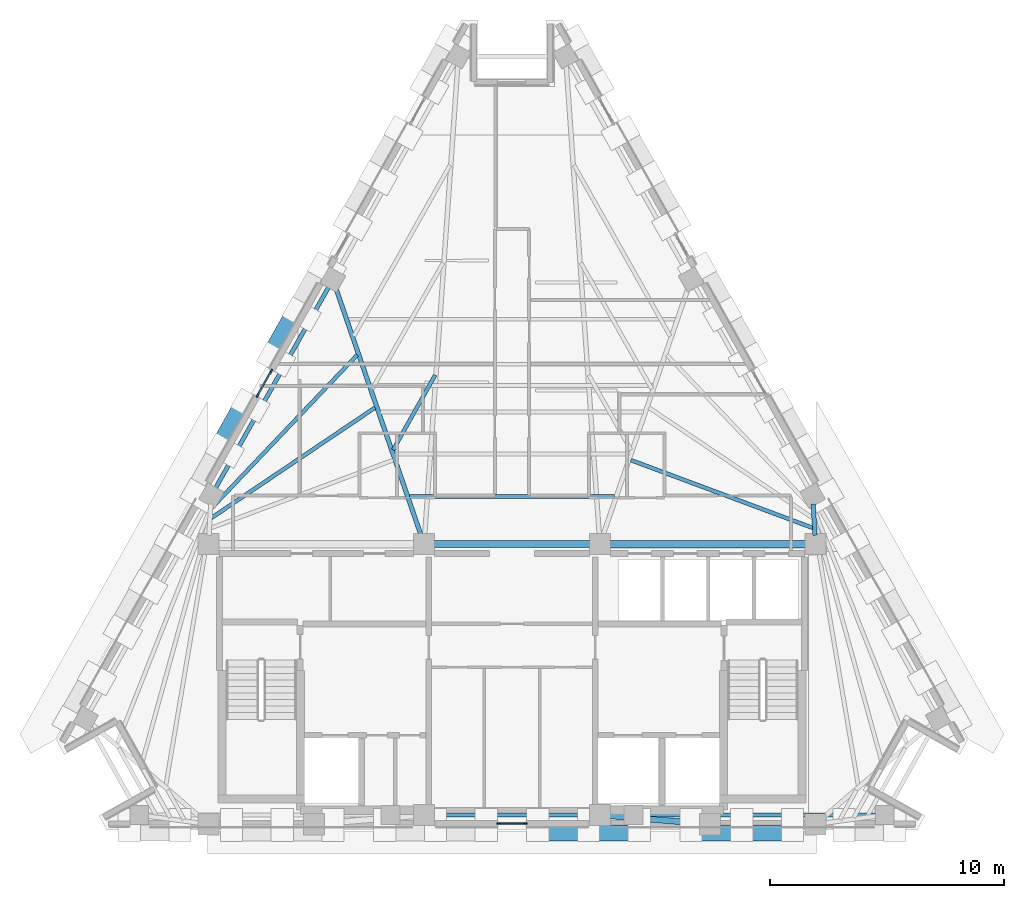
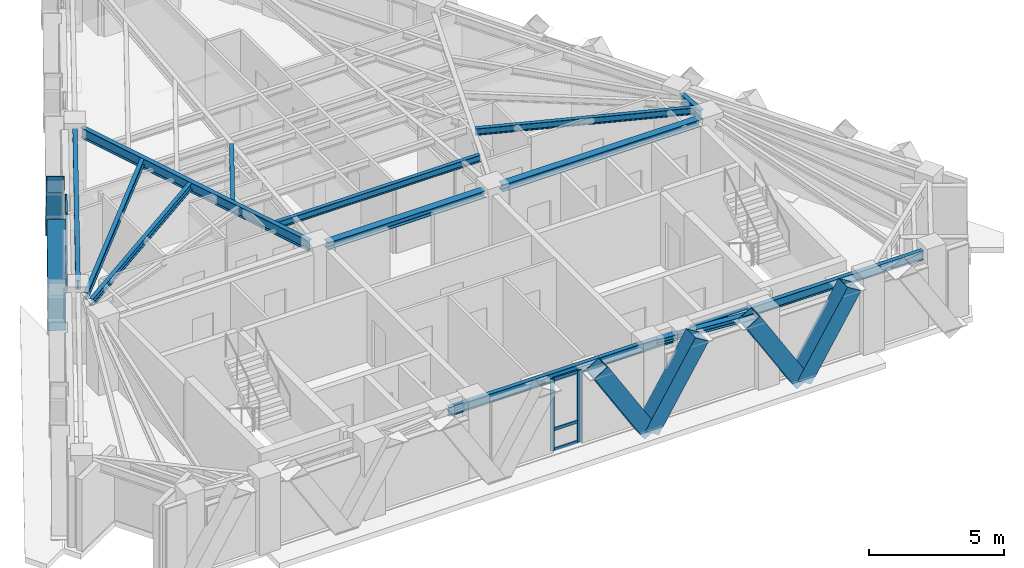
# One storey, part 2 of 9: 16 members, 13 beams, 2 elements without a shape of their own.
"""IFC4 building model written with IfcOpenShell, lengths in metres."""

import ifcopenshell
import ifcopenshell.guid

model = None  # the IFC model being written
_history = None  # IfcOwnerHistory: only IFC2X3 demands one
_inside = {}  # id of a spatial element -> (the spatial element, [elements in it])
_under = {}  # id of a project, library or spatial element -> (it, [spatial elements below it])
_declared = {}  # id of a project -> (the project, [libraries it declares])
_typed = {}  # id of a type object -> (the type object, [elements of that type])
_made_of = {}  # id of a material, layer set ... -> (it, [elements and type objects made of it])


def new_model(schema):
    """Start an empty IFC model of exactly this schema.

    Asked for "IFC4X3", IfcOpenShell would pick the latest addendum, in which some entities
    have other attributes; the version numbers below select the first issue.
    IFC2X3 requires an IfcOwnerHistory on every rooted entity: one is made here for all.
    """
    global model, _history
    if schema == "IFC4X3":
        model = ifcopenshell.file(schema_version=(4, 3, 0, 0))
    else:
        model = ifcopenshell.file(schema=schema)
    _inside.clear()
    _under.clear()
    _declared.clear()
    _typed.clear()
    _made_of.clear()
    _history = None
    if model.schema == "IFC2X3":
        org = make("IfcOrganization", Name="unknown")
        user = make(
            "IfcPersonAndOrganization",
            ThePerson=make("IfcPerson", FamilyName="unknown"),
            TheOrganization=org,
        )
        app = make(
            "IfcApplication",
            ApplicationDeveloper=org,
            Version="unknown",
            ApplicationFullName="unknown",
            ApplicationIdentifier="unknown",
        )
        _history = make(
            "IfcOwnerHistory",
            OwningUser=user,
            OwningApplication=app,
            ChangeAction="ADDED",
            CreationDate=0,
        )
    return model


def make(cls, **values):
    """One entity of the class cls with the attributes given. An attribute that is None is left unset."""
    return model.create_entity(
        cls, **{name: value for name, value in values.items() if value is not None}
    )


def rooted(cls, **values):
    """An entity with a GlobalId (a new one), such as an element, a storey or a relation."""
    return make(cls, GlobalId=ifcopenshell.guid.new(), OwnerHistory=_history, **values)


def si_unit(unit_type, name, prefix=None):
    """IfcSIUnit, for example si_unit("LENGTHUNIT", "METRE", prefix="MILLI")."""
    return make("IfcSIUnit", UnitType=unit_type, Prefix=prefix, Name=name)


def assignment(units):
    """IfcUnitAssignment: the units of a project."""
    return None if units is None else make("IfcUnitAssignment", Units=units)


def point(xyz):
    """IfcCartesianPoint."""
    return None if xyz is None else make("IfcCartesianPoint", Coordinates=xyz)


def direction(xyz):
    """IfcDirection."""
    return None if xyz is None else make("IfcDirection", DirectionRatios=xyz)


def frame(location, z_axis=None, x_axis=None):
    """IfcAxis2Placement3D, a coordinate frame: its origin and axes. An axis left out is left unset."""
    return make(
        "IfcAxis2Placement3D",
        Location=point(location),
        Axis=direction(z_axis),
        RefDirection=direction(x_axis),
    )


def frame_2d(location, x_axis=None):
    """IfcAxis2Placement2D, a coordinate frame in the plane: its origin and x axis."""
    return make(
        "IfcAxis2Placement2D", Location=point(location), RefDirection=direction(x_axis)
    )


def origin():
    """The frame at (0, 0, 0) with its axes left unset."""
    return frame((0.0, 0.0, 0.0))


def origin_2d():
    """The frame at (0, 0) in the plane with its x axis left unset."""
    return frame_2d((0.0, 0.0))


def place(relative_to, where):
    """IfcLocalPlacement: puts the frame where relative to a parent placement (None: the world)."""
    return make(
        "IfcLocalPlacement", PlacementRelTo=relative_to, RelativePlacement=where
    )


def context(
    kind, dimensions, precision=None, world=None, true_north=None, identifier=None
):
    """IfcGeometricRepresentationContext, for example the 3D "Model" context."""
    return make(
        "IfcGeometricRepresentationContext",
        ContextIdentifier=identifier,
        ContextType=kind,
        CoordinateSpaceDimension=dimensions,
        Precision=precision,
        WorldCoordinateSystem=world,
        TrueNorth=true_north,
    )


def subcontext(parent, identifier, kind, view, scale=None):
    """IfcGeometricRepresentationSubContext, for example "Body" below "Model"."""
    return make(
        "IfcGeometricRepresentationSubContext",
        ContextIdentifier=identifier,
        ContextType=kind,
        ParentContext=parent,
        TargetScale=scale,
        TargetView=view,
    )


def project(units=None, contexts=None):
    """IfcProject with its units and contexts."""
    return rooted(
        "IfcProject",
        Name="project",
        RepresentationContexts=contexts,
        UnitsInContext=assignment(units),
    )


def spatial(cls, under=None, at=None, **own):
    """A site, building, storey or space (cls), placed at a placement, below another one or the project."""
    s = rooted(cls, ObjectPlacement=at, **own)
    if under is not None:
        _under.setdefault(under.id(), (under, []))[1].append(s)
    return s


def profile(cls, at=None, kind="AREA", **sizes):
    """A parametric profile (cls). Its sizes go by their IFC names, for example OverallWidth=200.0."""
    return make(cls, ProfileType=kind, Position=at, **sizes)


def rectangle(**sizes):
    """IfcRectangleProfileDef."""
    return profile("IfcRectangleProfileDef", **sizes)


def hollow_rectangle(**sizes):
    """IfcRectangleHollowProfileDef."""
    return profile("IfcRectangleHollowProfileDef", **sizes)


def i_section(**sizes):
    """IfcIShapeProfileDef."""
    return profile("IfcIShapeProfileDef", **sizes)


def extrude(swept, where, along, depth):
    """IfcExtrudedAreaSolid: the profile swept, set in the frame where, extruded along a direction by depth."""
    return make(
        "IfcExtrudedAreaSolid",
        SweptArea=swept,
        Position=where,
        ExtrudedDirection=direction(along),
        Depth=depth,
    )


def shape(context_of_items, identifier, shape_type, items):
    """IfcShapeRepresentation: the items that make up one representation, for example the "Body"."""
    return make(
        "IfcShapeRepresentation",
        ContextOfItems=context_of_items,
        RepresentationIdentifier=identifier,
        RepresentationType=shape_type,
        Items=items,
    )


def material(Name=None, Category=None):
    """IfcMaterial."""
    return make("IfcMaterial", Name=Name, Category=Category)


def material_profile(
    of_material, cross_section, Name=None, Category=None, Priority=None
):
    """IfcMaterialProfile: a cross section and its material."""
    return make(
        "IfcMaterialProfile",
        Name=Name,
        Material=of_material,
        Profile=cross_section,
        Priority=Priority,
        Category=Category,
    )


def profile_set(profiles, Name=None, composite=None):
    """IfcMaterialProfileSet."""
    return make(
        "IfcMaterialProfileSet",
        Name=Name,
        MaterialProfiles=profiles,
        CompositeProfile=composite,
    )


def made_of(thing, what):
    """Note that an element or type object is made of a material, layer set ...; save() writes the relation."""
    if what is not None:
        _made_of.setdefault(what.id(), (what, []))[1].append(thing)
    return thing


def type_object(cls, material=None, **own):
    """A type object (cls), such as IfcWallType, which elements share."""
    return made_of(rooted(cls, **own), material)


def element(
    cls,
    number,
    at=None,
    inside=None,
    cuts=None,
    type_object=None,
    material=None,
    context=None,
    identifier="Body",
    shape_type=None,
    held_by="IfcProductDefinitionShape",
    body=None,
    shapes=None,
    **own,
):
    """One element of the class cls, such as IfcWall. Its Tag is "e" and its number.

    at: its placement. inside: the storey or other place that contains it. cuts: it is an
    opening in that element (IfcRelVoidsElement). A single representation is given by context,
    identifier, shape_type and body (its items); several are given by shapes. held_by: the class
    of the entity that holds the representations. save() writes the other relations.
    """
    e = rooted(cls, Tag="e%d" % number, ObjectPlacement=at, **own)
    if body is not None:
        shapes = [shape(context, identifier, shape_type, body)]
    if shapes is not None:
        e.Representation = make(held_by, Representations=shapes)
    if inside is not None:
        _inside.setdefault(inside.id(), (inside, []))[1].append(e)
    if cuts is not None:
        rooted(
            "IfcRelVoidsElement", RelatingBuildingElement=cuts, RelatedOpeningElement=e
        )
    if type_object is not None:
        _typed.setdefault(type_object.id(), (type_object, []))[1].append(e)
    return made_of(e, material)


def aggregate(whole, parts):
    """IfcRelAggregates: a whole, such as a stair, and the parts it consists of."""
    return rooted("IfcRelAggregates", RelatingObject=whole, RelatedObjects=parts)


def save(model, path):
    """Write the relations noted so far, then the file.

    IfcRelAggregates (storeys below a building ...), IfcRelContainedInSpatialStructure (elements
    in a storey), IfcRelDefinesByType, IfcRelAssociatesMaterial and IfcRelDeclares: one each for
    every whole, place, type object, material and project.
    """
    for whole, parts in _under.values():
        aggregate(whole, parts)
    for where, things in _inside.values():
        rooted(
            "IfcRelContainedInSpatialStructure",
            RelatedElements=things,
            RelatingStructure=where,
        )
    for kind, things in _typed.values():
        rooted("IfcRelDefinesByType", RelatedObjects=things, RelatingType=kind)
    for what, things in _made_of.values():
        rooted("IfcRelAssociatesMaterial", RelatedObjects=things, RelatingMaterial=what)
    for by, libraries in _declared.values():
        rooted("IfcRelDeclares", RelatingContext=by, RelatedDefinitions=libraries)
    model.write(path)


model = new_model("IFC4")

# Units and contexts
model_context = context("Model", 3, precision=1e-05, world=origin(), true_north=direction((0.0, 1.0)))
body_context = subcontext(model_context, "Body", "Model", "MODEL_VIEW")
ifc_project = project(units=[si_unit("LENGTHUNIT", "METRE"), si_unit("AREAUNIT", "SQUARE_METRE"), si_unit("VOLUMEUNIT", "CUBIC_METRE"), si_unit("PLANEANGLEUNIT", "RADIAN"), si_unit("MASSUNIT", "GRAM", prefix="KILO")], contexts=[model_context])

# Site, building, storey
site_placement = place(None, origin())
site = spatial("IfcSite", under=ifc_project, at=site_placement, CompositionType="ELEMENT")
building_placement = place(site_placement, origin())
building = spatial("IfcBuilding", under=site, at=building_placement, Name="Quenlor Broadcast Tower", CompositionType="ELEMENT")
storey_placement = place(building_placement, frame((0.0, 0.0, 228.89990234375)))
storey = spatial("IfcBuildingStorey", under=building, at=storey_placement, Name="L63", CompositionType="ELEMENT", Elevation=228.89990234375)

# Curtain wall, members
ifc_material_1 = material(Name="Architectural Terracotta and Low-E Glazing", Category="masonry")
curtain_wall_type = type_object("IfcCurtainWallType", Name="Unitised Terracotta Curtain Wall System Z5", PredefinedType="NOTDEFINED", material=ifc_material_1)
curtain_wall_1_placement = place(storey_placement, origin())
curtain_wall_1 = element("IfcCurtainWall", 1, at=curtain_wall_1_placement, inside=storey, type_object=curtain_wall_type, Name="L63 Curtain Wall CW5 (L63-S-G1)", PredefinedType="NOTDEFINED")
ifc_material_2 = material(Name="Aluminium 6063-T6", Category="aluminium")
ifc_material_profile_1 = material_profile(ifc_material_2, rectangle(XDim=0.06494140625, YDim=0.169921875, at=origin_2d()))
ifc_profile_set_1 = profile_set([ifc_material_profile_1], Name="Aluminium 6063-T6 MULL65x170")
member_type_1 = type_object("IfcMemberType", Name="CW5 Aluminium Mullion MULL_CW5", PredefinedType="MULLION", material=ifc_profile_set_1)
member_1_placement = place(storey_placement, frame((0.573974609375, -16.72509765625, 0.0), z_axis=(0.0, 0.0, 1.0), x_axis=(0.0, -1.0, 0.0)))
member_1 = element("IfcMember", 2, at=member_1_placement, type_object=member_type_1, Name="CW5 mullion 1", PredefinedType="MULLION", context=body_context, shape_type="SweptSolid", body=[
    extrude(rectangle(XDim=0.06494140625, YDim=0.169921875, at=origin_2d()), origin(), (0.0, 0.0, 1.0), 3.25),
])
member_2_placement = place(storey_placement, frame((-0.573974609375, -16.72509765625, 0.0), z_axis=(0.0, 0.0, 1.0), x_axis=(0.0, -1.0, 0.0)))
member_2 = element("IfcMember", 3, at=member_2_placement, type_object=member_type_1, Name="CW5 mullion 2", PredefinedType="MULLION", context=body_context, shape_type="SweptSolid", body=[
    extrude(rectangle(XDim=0.06494140625, YDim=0.169921875, at=origin_2d()), origin(), (0.0, 0.0, 1.0), 3.25),
])

curtain_wall_2_placement = place(storey_placement, origin())
curtain_wall_2 = element("IfcCurtainWall", 4, at=curtain_wall_2_placement, inside=storey, type_object=curtain_wall_type, Name="L63 Curtain Wall CW5 (L63-NW-G1)", PredefinedType="NOTDEFINED")
member_3_placement = place(storey_placement, frame((-10.853271484375, 1.54443359375, 0.0), z_axis=(0.0, 0.0, 1.0), x_axis=(-0.871592489955, 0.490231100048, 0.0)))
member_3 = element("IfcMember", 5, at=member_3_placement, type_object=member_type_1, Name="CW5 mullion 1", PredefinedType="MULLION", context=body_context, shape_type="SweptSolid", body=[
    extrude(rectangle(XDim=0.06494140625, YDim=0.169921875, at=origin_2d()), origin(), (0.0, 0.0, 1.0), 3.25),
])
member_4_placement = place(storey_placement, frame((-10.267333984375, 2.586181640625, 0.0), z_axis=(0.0, 0.0, 1.0), x_axis=(-0.871592489955, 0.490231100048, 0.0)))
member_4 = element("IfcMember", 6, at=member_4_placement, type_object=member_type_1, Name="CW5 mullion 2", PredefinedType="MULLION", context=body_context, shape_type="SweptSolid", body=[
    extrude(rectangle(XDim=0.06494140625, YDim=0.169921875, at=origin_2d()), origin(), (0.0, 0.0, 1.0), 3.25),
])

# Member
ifc_material_3 = material(Name="Aluminium 6063-T6", Category="aluminium")
ifc_material_profile_2 = material_profile(ifc_material_3, rectangle(XDim=0.06494140625, YDim=0.139892578125, at=origin_2d()))
ifc_profile_set_2 = profile_set([ifc_material_profile_2], Name="Aluminium 6063-T6 TRAN65x140")
member_type_2 = type_object("IfcMemberType", Name="CW5 Aluminium Transom TRAN_CW5", PredefinedType="USERDEFINED", material=ifc_profile_set_2)
member_5_placement = place(storey_placement, frame((0.54150390625, -16.72509765625, 0.03271484375), z_axis=(-1.0, 0.0, 0.0), x_axis=(0.0, -1.0, 0.0)))
member_5 = element("IfcMember", 7, at=member_5_placement, type_object=member_type_2, Name="CW5 transom 1.1", ObjectType="TRANSOM", PredefinedType="USERDEFINED", context=body_context, shape_type="SweptSolid", body=[
    extrude(rectangle(XDim=0.06494140625, YDim=0.139892578125, at=origin_2d()), origin(), (0.0, 0.0, 1.0), 1.0830078125),
])

member_6_placement = place(storey_placement, frame((0.54150390625, -16.72509765625, 0.9501953125), z_axis=(-1.0, 0.0, 0.0), x_axis=(0.0, -1.0, 0.0)))
member_6 = element("IfcMember", 8, at=member_6_placement, type_object=member_type_2, Name="CW5 transom 1.2", ObjectType="TRANSOM", PredefinedType="USERDEFINED", context=body_context, shape_type="SweptSolid", body=[
    extrude(rectangle(XDim=0.06494140625, YDim=0.139892578125, at=origin_2d()), origin(), (0.0, 0.0, 1.0), 1.0830078125),
])

member_7_placement = place(storey_placement, frame((0.54150390625, -16.72509765625, 3.217529296875), z_axis=(-1.0, 0.0, 0.0), x_axis=(0.0, -1.0, 0.0)))
member_7 = element("IfcMember", 9, at=member_7_placement, type_object=member_type_2, Name="CW5 transom 1.3", ObjectType="TRANSOM", PredefinedType="USERDEFINED", context=body_context, shape_type="SweptSolid", body=[
    extrude(rectangle(XDim=0.06494140625, YDim=0.139892578125, at=origin_2d()), origin(), (0.0, 0.0, 1.0), 1.0830078125),
])

aggregate(curtain_wall_1, [member_1, member_2, member_5, member_6, member_7])

member_8_placement = place(storey_placement, frame((-10.83740234375, 1.57275390625, 0.03271484375), z_axis=(0.490312513966, 0.871546693327, 0.0), x_axis=(-0.871546693327, 0.490312513966, 0.0)))
member_8 = element("IfcMember", 10, at=member_8_placement, type_object=member_type_2, Name="CW5 transom 1.1", ObjectType="TRANSOM", PredefinedType="USERDEFINED", context=body_context, shape_type="SweptSolid", body=[
    extrude(rectangle(XDim=0.06494140625, YDim=0.139892578125, at=origin_2d()), origin(), (0.0, 0.0, 1.0), 1.13037109375),
])

member_9_placement = place(storey_placement, frame((-10.83740234375, 1.57275390625, 0.9501953125), z_axis=(0.490312513966, 0.871546693327, 0.0), x_axis=(-0.871546693327, 0.490312513966, 0.0)))
member_9 = element("IfcMember", 11, at=member_9_placement, type_object=member_type_2, Name="CW5 transom 1.2", ObjectType="TRANSOM", PredefinedType="USERDEFINED", context=body_context, shape_type="SweptSolid", body=[
    extrude(rectangle(XDim=0.06494140625, YDim=0.139892578125, at=origin_2d()), origin(), (0.0, 0.0, 1.0), 1.13037109375),
])

member_10_placement = place(storey_placement, frame((-10.83740234375, 1.57275390625, 3.217529296875), z_axis=(0.490312513966, 0.871546693327, 0.0), x_axis=(-0.871546693327, 0.490312513966, 0.0)))
member_10 = element("IfcMember", 12, at=member_10_placement, type_object=member_type_2, Name="CW5 transom 1.3", ObjectType="TRANSOM", PredefinedType="USERDEFINED", context=body_context, shape_type="SweptSolid", body=[
    extrude(rectangle(XDim=0.06494140625, YDim=0.139892578125, at=origin_2d()), origin(), (0.0, 0.0, 1.0), 1.13037109375),
])

aggregate(curtain_wall_2, [member_3, member_4, member_8, member_9, member_10])

# Beams
ifc_material_4 = material(Name="Steel S355", Category="steel")
ifc_material_profile_3 = material_profile(ifc_material_4, i_section(OverallWidth=0.304931640625, OverallDepth=0.30810546875, WebThickness=0.010009765625, FlangeThickness=0.015380859375, FilletRadius=0.0166015625, at=origin_2d()))
ifc_profile_set_3 = profile_set([ifc_material_profile_3], Name="Steel S355 310UC96.8")
beam_type_1 = type_object("IfcBeamType", Name="Core Header Beam Steel S355 310UC96.8", PredefinedType="BEAM", material=ifc_profile_set_3)
beam_1_placement = place(storey_placement, frame((-3.389892578125, -4.800048828125, 3.09619140625), z_axis=(1.0, 0.0, 0.0), x_axis=(0.0, 1.0, 0.0)))
element("IfcBeam", 13, at=beam_1_placement, inside=storey, type_object=beam_type_1, Name="L63 Core Header Beam 2", PredefinedType="BEAM", context=body_context, shape_type="SweptSolid", body=[
    extrude(i_section(OverallWidth=0.304931640625, OverallDepth=0.30810546875, WebThickness=0.010009765625, FlangeThickness=0.015380859375, FilletRadius=0.0166015625, at=origin_2d()), origin(), (0.0, 0.0, 1.0), 6.77978515625),
])
ifc_material_5 = material(Name="Steel S355", Category="steel")
ifc_material_profile_4 = material_profile(ifc_material_5, i_section(OverallWidth=0.25390625, OverallDepth=0.25390625, WebThickness=0.008544921875, FlangeThickness=0.01416015625, FilletRadius=0.013916015625, at=origin_2d()))
ifc_profile_set_4 = profile_set([ifc_material_profile_4], Name="Steel S355 250UC72.9")
beam_type_2 = type_object("IfcBeamType", Name="Core Opening Lintel Beam Steel S355 250UC72.9", PredefinedType="LINTEL", material=ifc_profile_set_4)
beam_2_placement = place(storey_placement, frame((4.108642578125, -16.380615234375, 3.123291015625), z_axis=(0.996399763903, -0.084779186679, 0.0), x_axis=(0.084779186679, 0.996399763903, 0.0)))
element("IfcBeam", 14, at=beam_2_placement, inside=storey, type_object=beam_type_2, Name="L63 Core Opening Lintel Beam 5", PredefinedType="LINTEL", context=body_context, shape_type="SweptSolid", body=[
    extrude(i_section(OverallWidth=0.25390625, OverallDepth=0.25390625, WebThickness=0.008544921875, FlangeThickness=0.01416015625, FilletRadius=0.013916015625, at=origin_2d()), origin(), (0.0, 0.0, 1.0), 3.9970703125),
])
ifc_material_6 = material(Name="Steel S355", Category="steel")
ifc_material_profile_5 = material_profile(ifc_material_6, i_section(OverallWidth=0.306884765625, OverallDepth=0.314697265625, WebThickness=0.011962890625, FlangeThickness=0.018798828125, FilletRadius=0.0166015625, at=origin_2d()))
ifc_profile_set_5 = profile_set([ifc_material_profile_5], Name="Steel S355 310UC118")
beam_type_3 = type_object("IfcBeamType", Name="Core Tie Beam Steel S355 310UC118", PredefinedType="BEAM", material=ifc_profile_set_5)
beam_3_placement = place(storey_placement, frame((4.110107421875, -4.800048828125, 3.0927734375), z_axis=(1.0, 0.0, 0.0), x_axis=(0.0, 1.0, 0.0)))
element("IfcBeam", 15, at=beam_3_placement, inside=storey, type_object=beam_type_3, Name="L63 Core Tie Beam 3", PredefinedType="BEAM", context=body_context, shape_type="SweptSolid", body=[
    extrude(i_section(OverallWidth=0.306884765625, OverallDepth=0.314697265625, WebThickness=0.011962890625, FlangeThickness=0.018798828125, FilletRadius=0.0166015625, at=origin_2d()), origin(), (0.0, 0.0, 1.0), 8.47998046875),
])

# Members
ifc_material_7 = material(Name="Steel S355", Category="steel")
ifc_material_profile_6 = material_profile(ifc_material_7, hollow_rectangle(XDim=0.679931640625, YDim=0.679931640625, WallThickness=0.02001953125, at=origin_2d()))
ifc_profile_set_6 = profile_set([ifc_material_profile_6], Name="Steel S355 RHS680x680x20")
member_type_3 = type_object("IfcMemberType", Name="Perimeter Diagonal Lattice Brace Z5-Crown Steel S355 RHS680x20", PredefinedType="BRACE", material=ifc_profile_set_6)
member_11_placement = place(storey_placement, frame((9.81103515625, -17.1201171875, -0.119873046875), z_axis=(0.5236596973, 0.0, 0.851927532965), x_axis=(0.0, 1.0, 0.0)))
element("IfcMember", 16, at=member_11_placement, inside=storey, type_object=member_type_3, Name="L63 Perimeter Diamond Lattice S-C1B", PredefinedType="BRACE", context=body_context, shape_type="SweptSolid", body=[
    extrude(hollow_rectangle(XDim=0.679931640625, YDim=0.679931640625, WallThickness=0.02001953125, at=origin_2d()), origin(), (0.0, 0.0, 1.0), 4.1083984375),
])
member_12_placement = place(storey_placement, frame((9.784912109375, -17.1201171875, -0.119873046875), z_axis=(-0.523616565236, 0.0, 0.85195404372), x_axis=(0.0, -1.0, 0.0)))
element("IfcMember", 17, at=member_12_placement, inside=storey, type_object=member_type_3, Name="L63 Perimeter Diamond Lattice S-C2S", PredefinedType="BRACE", context=body_context, shape_type="SweptSolid", body=[
    extrude(hollow_rectangle(XDim=0.679931640625, YDim=0.679931640625, WallThickness=0.02001953125, at=origin_2d()), origin(), (0.0, 0.0, 1.0), 4.108154296875),
])
member_13_placement = place(storey_placement, frame((3.279052734375, -17.1201171875, -0.119873046875), z_axis=(0.5236596973, 0.0, 0.851927532965), x_axis=(0.0, 1.0, 0.0)))
element("IfcMember", 18, at=member_13_placement, inside=storey, type_object=member_type_3, Name="L63 Perimeter Diamond Lattice S-C2B", PredefinedType="BRACE", context=body_context, shape_type="SweptSolid", body=[
    extrude(hollow_rectangle(XDim=0.679931640625, YDim=0.679931640625, WallThickness=0.02001953125, at=origin_2d()), origin(), (0.0, 0.0, 1.0), 4.1083984375),
])
member_14_placement = place(storey_placement, frame((3.2529296875, -17.1201171875, -0.119873046875), z_axis=(-0.523616565236, 0.0, 0.85195404372), x_axis=(0.0, -1.0, 0.0)))
element("IfcMember", 19, at=member_14_placement, inside=storey, type_object=member_type_3, Name="L63 Perimeter Diamond Lattice S-C3S", PredefinedType="BRACE", context=body_context, shape_type="SweptSolid", body=[
    extrude(hollow_rectangle(XDim=0.679931640625, YDim=0.679931640625, WallThickness=0.02001953125, at=origin_2d()), origin(), (0.0, 0.0, 1.0), 4.108154296875),
])
for number, where, z_axis, x_axis, name in (
    (20, (-12.532958984375, -0.635986328125, -0.119873046875), (0.260618804175, 0.463276364439, 0.847025884529), (-0.8715547569, 0.490298180422, 0.0), "L63 Perimeter Diamond Lattice NW-C3S"),
    (21, (-9.2763671875, 5.153564453125, -0.119873046875), (-0.260563732169, -0.463283497491, 0.847038926161), (0.871602253711, -0.49021374045, 0.0), "L63 Perimeter Diamond Lattice NW-C3B"),
):
    element("IfcMember", number, at=place(storey_placement, frame(where, z_axis=z_axis, x_axis=x_axis)), inside=storey, type_object=member_type_3, Name=name, PredefinedType="BRACE", context=body_context, shape_type="SweptSolid", body=[
        extrude(hollow_rectangle(XDim=0.679931640625, YDim=0.679931640625, WallThickness=0.02001953125, at=origin_2d()), origin(), (0.0, 0.0, 1.0), 4.132080078125),
    ])

# Beams
ifc_material_8 = material(Name="Steel S355", Category="steel")
ifc_material_profile_7 = material_profile(ifc_material_8, i_section(OverallWidth=0.177978515625, OverallDepth=0.406494140625, WebThickness=0.0078125, FlangeThickness=0.0126953125, FilletRadius=0.011474609375, at=origin_2d()))
ifc_profile_set_7 = profile_set([ifc_material_profile_7], Name="Steel S355 410UB59.7")
beam_type_4 = type_object("IfcBeamType", Name="Perimeter Spandrel Beam Z5 Steel S355 410UB59.7", PredefinedType="SPANDREL", material=ifc_profile_set_7)
beam_4_placement = place(storey_placement, frame((-4.823974609375, -16.35009765625, 3.046875), z_axis=(1.0, 0.0, 0.0), x_axis=(0.0, 1.0, 0.0)))
element("IfcBeam", 22, at=beam_4_placement, inside=storey, type_object=beam_type_4, Name="L63 Spandrel Beam S2-S3", PredefinedType="SPANDREL", context=body_context, shape_type="SweptSolid", body=[
    extrude(i_section(OverallWidth=0.177978515625, OverallDepth=0.406494140625, WebThickness=0.0078125, FlangeThickness=0.0126953125, FilletRadius=0.011474609375, at=origin_2d()), origin(), (0.0, 0.0, 1.0), 9.64794921875),
])
beam_5_placement = place(storey_placement, frame((5.5439453125, -16.35009765625, 3.046875), z_axis=(1.0, 0.0, 0.0), x_axis=(0.0, 1.0, 0.0)))
element("IfcBeam", 23, at=beam_5_placement, inside=storey, type_object=beam_type_4, Name="L63 Spandrel Beam S3-S4", PredefinedType="SPANDREL", context=body_context, shape_type="SweptSolid", body=[
    extrude(i_section(OverallWidth=0.177978515625, OverallDepth=0.406494140625, WebThickness=0.0078125, FlangeThickness=0.0126953125, FilletRadius=0.011474609375, at=origin_2d()), origin(), (0.0, 0.0, 1.0), 9.99365234375),
])
beam_6_placement = place(storey_placement, frame((-7.818115234375, 6.175537109375, 3.046875), z_axis=(-0.49024947634, -0.871582153872, 0.0), x_axis=(0.871582153872, -0.49024947634, 0.0)))
element("IfcBeam", 24, at=beam_6_placement, inside=storey, type_object=beam_type_4, Name="L63 Spandrel Beam NW2-NW3", PredefinedType="SPANDREL", context=body_context, shape_type="SweptSolid", body=[
    extrude(i_section(OverallWidth=0.177978515625, OverallDepth=0.406494140625, WebThickness=0.0078125, FlangeThickness=0.0126953125, FilletRadius=0.011474609375, at=origin_2d()), origin(), (0.0, 0.0, 1.0), 9.853759765625),
])
ifc_material_9 = material(Name="Steel S355", Category="steel")
ifc_material_profile_8 = material_profile(ifc_material_9, i_section(OverallWidth=0.166015625, OverallDepth=0.30712890625, WebThickness=0.006591796875, FlangeThickness=0.01171875, FilletRadius=0.011474609375, at=origin_2d()))
ifc_profile_set_8 = profile_set([ifc_material_profile_8], Name="Steel S355 310UB46.2")
beam_type_5 = type_object("IfcBeamType", Name="Tower Composite Joist Z4-Z5 Steel S355 310UB46.2", PredefinedType="JOIST", material=ifc_profile_set_8)
beam_7_placement = place(storey_placement, frame((-4.37060546875, -2.767822265625, 3.096435546875), z_axis=(1.0, 0.0, 0.0), x_axis=(0.0, 1.0, 0.0)))
element("IfcBeam", 25, at=beam_7_placement, inside=storey, type_object=beam_type_5, Name="L63 Secondary Composite Joist 1", PredefinedType="JOIST", context=body_context, shape_type="SweptSolid", body=[
    extrude(i_section(OverallWidth=0.166015625, OverallDepth=0.30712890625, WebThickness=0.006591796875, FlangeThickness=0.01171875, FilletRadius=0.011474609375, at=origin_2d()), origin(), (0.0, 0.0, 1.0), 8.7412109375),
])
beam_8_placement = place(storey_placement, frame((-12.81884765625, -3.67724609375, 3.096435546875), z_axis=(0.829286301475, 0.558823970661, 0.0), x_axis=(-0.558823970661, 0.829286301475, 0.0)))
element("IfcBeam", 26, at=beam_8_placement, inside=storey, type_object=beam_type_5, Name="L63 Secondary Composite Joist 8", PredefinedType="JOIST", context=body_context, shape_type="SweptSolid", body=[
    extrude(i_section(OverallWidth=0.166015625, OverallDepth=0.30712890625, WebThickness=0.006591796875, FlangeThickness=0.01171875, FilletRadius=0.011474609375, at=origin_2d()), origin(), (0.0, 0.0, 1.0), 8.415771484375),
])
beam_9_placement = place(storey_placement, frame((-12.80517578125, -3.249267578125, 3.096435546875), z_axis=(0.689023306429, 0.724739182877, 0.0), x_axis=(-0.724739182877, 0.689023306429, 0.0)))
element("IfcBeam", 27, at=beam_9_placement, inside=storey, type_object=beam_type_5, Name="L63 Secondary Composite Joist 9", PredefinedType="JOIST", context=body_context, shape_type="SweptSolid", body=[
    extrude(i_section(OverallWidth=0.166015625, OverallDepth=0.30712890625, WebThickness=0.006591796875, FlangeThickness=0.01171875, FilletRadius=0.011474609375, at=origin_2d()), origin(), (0.0, 0.0, 1.0), 8.99560546875),
])
beam_10_placement = place(storey_placement, frame((12.835205078125, -4.108642578125, 3.096435546875), z_axis=(-0.937062080226, 0.349162795559, 0.0), x_axis=(-0.349162795559, -0.937062080226, 0.0)))
element("IfcBeam", 28, at=beam_10_placement, inside=storey, type_object=beam_type_5, Name="L63 Secondary Composite Joist 10", PredefinedType="JOIST", context=body_context, shape_type="SweptSolid", body=[
    extrude(i_section(OverallWidth=0.166015625, OverallDepth=0.30712890625, WebThickness=0.006591796875, FlangeThickness=0.01171875, FilletRadius=0.011474609375, at=origin_2d()), origin(), (0.0, 0.0, 1.0), 8.286376953125),
])
beam_11_placement = place(storey_placement, frame((-3.2763671875, 2.41455078125, 3.096435546875), z_axis=(-0.490258076222, -0.871577316535, 0.0), x_axis=(0.871577316535, -0.490258076222, 0.0)))
element("IfcBeam", 29, at=beam_11_placement, inside=storey, type_object=beam_type_5, Name="L63 Secondary Composite Joist 25", PredefinedType="JOIST", context=body_context, shape_type="SweptSolid", body=[
    extrude(i_section(OverallWidth=0.166015625, OverallDepth=0.30712890625, WebThickness=0.006591796875, FlangeThickness=0.01171875, FilletRadius=0.011474609375, at=origin_2d()), origin(), (0.0, 0.0, 1.0), 3.6640625),
])
ifc_material_10 = material(Name="Steel S355", Category="steel")
ifc_material_profile_9 = material_profile(ifc_material_10, i_section(OverallWidth=0.19091796875, OverallDepth=0.46044921875, WebThickness=0.010009765625, FlangeThickness=0.01611328125, FilletRadius=0.011474609375, at=origin_2d()))
ifc_profile_set_9 = profile_set([ifc_material_profile_9], Name="Steel S355 460UB82.1")
beam_type_6 = type_object("IfcBeamType", Name="Tower Primary Floor Beam Z5 Steel S355 460UB82.1", PredefinedType="BEAM", material=ifc_profile_set_9)
beam_12_placement = place(storey_placement, frame((12.84716796875, -3.086181640625, 3.02001953125), z_axis=(0.059899569349, -0.998204408722, 0.0), x_axis=(0.998204408722, 0.059899569349, 0.0)))
element("IfcBeam", 30, at=beam_12_placement, inside=storey, type_object=beam_type_6, Name="L63 Primary Radial Beam NE2", PredefinedType="BEAM", context=body_context, shape_type="SweptSolid", body=[
    extrude(i_section(OverallWidth=0.19091796875, OverallDepth=0.46044921875, WebThickness=0.010009765625, FlangeThickness=0.01611328125, FilletRadius=0.011474609375, at=origin_2d()), origin(), (0.0, 0.0, 1.0), 1.3369140625),
])
beam_13_placement = place(storey_placement, frame((-7.524169921875, 6.14892578125, 3.02001953125), z_axis=(0.325895297662, -0.945405867848, 0.0), x_axis=(0.945405867848, 0.325895297662, 0.0)))
element("IfcBeam", 31, at=beam_13_placement, inside=storey, type_object=beam_type_6, Name="L63 Primary Radial Beam NW2", PredefinedType="BEAM", context=body_context, shape_type="SweptSolid", body=[
    extrude(i_section(OverallWidth=0.19091796875, OverallDepth=0.46044921875, WebThickness=0.010009765625, FlangeThickness=0.01611328125, FilletRadius=0.011474609375, at=origin_2d()), origin(), (0.0, 0.0, 1.0), 11.201171875),
])

save(model, "model.ifc")
